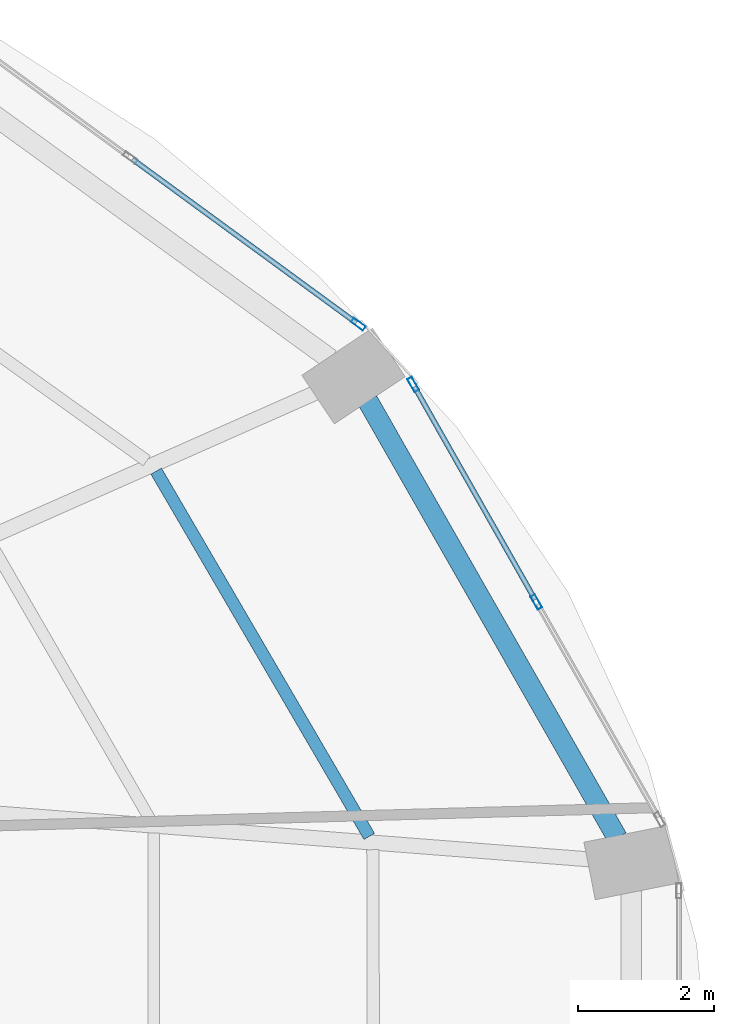
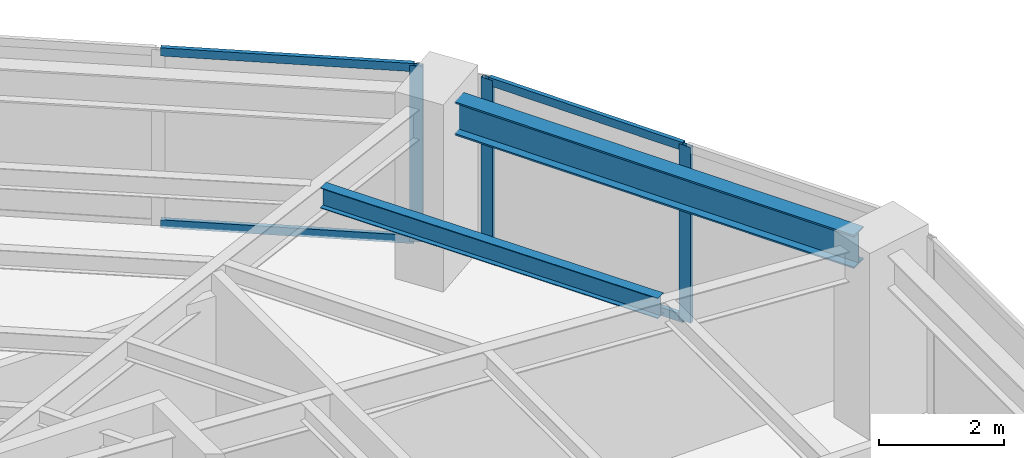
# One storey, part 18 of 25: 7 members, 2 beams, 2 elements without a shape of their own.
"""IFC4 building model written with IfcOpenShell, lengths in metres."""

from ifc_helpers import new_model, si_unit, direction, frame, origin, origin_2d, place, context, subcontext, project, spatial, hollow_rectangle, i_section, extrude, material, layer, layer_set, material_profile, profile_set, type_object, element, aggregate, save


model = new_model("IFC4")

# Units and contexts
model_context = context("Model", 3, precision=1e-05, world=origin(), true_north=direction((0.0, 1.0)))
body_context = subcontext(model_context, "Body", "Model", "MODEL_VIEW")
ifc_project = project(units=[si_unit("LENGTHUNIT", "METRE"), si_unit("AREAUNIT", "SQUARE_METRE"), si_unit("VOLUMEUNIT", "CUBIC_METRE"), si_unit("PLANEANGLEUNIT", "RADIAN"), si_unit("MASSUNIT", "GRAM", prefix="KILO")], contexts=[model_context])

# Site, building, storey
site_placement = place(None, origin())
site = spatial("IfcSite", under=ifc_project, at=site_placement, CompositionType="ELEMENT")
building_placement = place(site_placement, origin())
building = spatial("IfcBuilding", under=site, at=building_placement, Name="Lazwardi Medical Tower", CompositionType="ELEMENT")
storey_placement = place(building_placement, frame((0.0, 0.0, 32.49609375)))
storey = spatial("IfcBuildingStorey", under=building, at=storey_placement, Name="L07", CompositionType="ELEMENT", Elevation=32.49609375)

# Beams
ifc_material_1 = material(Name="Steel S355", Category="steel")
ifc_material_profile_1 = material_profile(ifc_material_1, i_section(OverallWidth=0.300048828125, OverallDepth=0.64990234375, WebThickness=0.01611328125, FlangeThickness=0.031005859375, at=origin_2d()), Name="HEB 650")
ifc_profile_set_1 = profile_set([ifc_material_profile_1], Name="Steel S355")
beam_type_1 = type_object("IfcBeamType", Name="BM-RB-Z1", PredefinedType="BEAM", material=ifc_profile_set_1)
beam_1_placement = place(storey_placement, frame((62.591796875, 34.63232421875, 3.10302734375), z_axis=(-0.49581512241, 0.868428099724, 0.0), x_axis=(-0.868428099724, -0.49581512241, 0.0)))
element("IfcBeam", 1, at=beam_1_placement, inside=storey, type_object=beam_type_1, Name="Ring beam RB-02 B05 L07", PredefinedType="BEAM", context=body_context, shape_type="SweptSolid", body=[
    extrude(i_section(OverallWidth=0.300048828125, OverallDepth=0.64990234375, WebThickness=0.01611328125, FlangeThickness=0.031005859375, at=origin_2d()), origin(), (0.0, 0.0, 1.0), 7.389404296875),
])
ifc_material_profile_2 = material_profile(ifc_material_1, i_section(OverallWidth=0.179931640625, OverallDepth=0.39990234375, WebThickness=0.008544921875, FlangeThickness=0.013427734375, at=origin_2d()), Name="IPE 400")
ifc_profile_set_2 = profile_set([ifc_material_profile_2], Name="Steel S355")
beam_type_2 = type_object("IfcBeamType", Name="BM-SJ-01", PredefinedType="JOIST", material=ifc_profile_set_2)
beam_2_placement = place(storey_placement, frame((58.951171875, 34.65234375, 3.22802734375), z_axis=(-0.503846579557, 0.863793160582, 0.0), x_axis=(-0.863793160582, -0.503846579557, 0.0)))
element("IfcBeam", 2, at=beam_2_placement, inside=storey, type_object=beam_type_2, Name="Secondary joist SJ-01 R1 B05 L07", PredefinedType="JOIST", context=body_context, shape_type="SweptSolid", body=[
    extrude(i_section(OverallWidth=0.179931640625, OverallDepth=0.39990234375, WebThickness=0.008544921875, FlangeThickness=0.013427734375, at=origin_2d()), origin(), (0.0, 0.0, 1.0), 6.20947265625),
])

# Curtain wall, members
ifc_material_2 = material(Name="Anodised bronze aluminium and solar control glazing", Category="aluminium")
ifc_layer = layer(ifc_material_2, 0.199951171875)
ifc_layer_set = layer_set([ifc_layer], Name="Anodised bronze aluminium and solar control glazing")
curtain_wall_type = type_object("IfcCurtainWallType", Name="CW-SYS-02", PredefinedType="NOTDEFINED", material=ifc_layer_set)
curtain_wall_1_placement = place(storey_placement, origin())
curtain_wall_1 = element("IfcCurtainWall", 3, at=curtain_wall_1_placement, inside=storey, type_object=curtain_wall_type, Name="L07 Unitised bronze curtain wall CW-02", PredefinedType="NOTDEFINED")
ifc_material_3 = material(Name="Anodised bronze aluminium", Category="aluminium")
ifc_material_profile_3 = material_profile(ifc_material_3, hollow_rectangle(XDim=0.074951171875, YDim=0.219970703125, WallThickness=0.00390625, at=origin_2d()), Name="ALU-MULLION 220x75x4")
ifc_profile_set_3 = profile_set([ifc_material_profile_3], Name="Anodised bronze aluminium")
member_type_1 = type_object("IfcMemberType", Name="CW-MUL-01", PredefinedType="MULLION", material=ifc_profile_set_3)
member_1_placement = place(storey_placement, frame((61.4052734375, 38.095458984375, 0.0), z_axis=(0.0, 0.0, 1.0), x_axis=(-0.870111838823, -0.492854327303, 0.0)))
member_1 = element("IfcMember", 4, at=member_1_placement, type_object=member_type_1, Name="CW-02 mullion 2", PredefinedType="MULLION", context=body_context, shape_type="SweptSolid", body=[
    extrude(hollow_rectangle(XDim=0.074951171875, YDim=0.219970703125, WallThickness=0.00390625, at=origin_2d()), origin(), (0.0, 0.0, 1.0), 3.427978515625),
])
member_2_placement = place(storey_placement, frame((59.5966796875, 41.28857421875, 0.0), z_axis=(0.0, 0.0, 1.0), x_axis=(-0.870111838823, -0.492854327303, 0.0)))
member_2 = element("IfcMember", 5, at=member_2_placement, type_object=member_type_1, Name="CW-02 mullion 3", PredefinedType="MULLION", context=body_context, shape_type="SweptSolid", body=[
    extrude(hollow_rectangle(XDim=0.074951171875, YDim=0.219970703125, WallThickness=0.00390625, at=origin_2d()), origin(), (0.0, 0.0, 1.0), 3.427978515625),
])

# Curtain wall, member
curtain_wall_2_placement = place(storey_placement, origin())
curtain_wall_2 = element("IfcCurtainWall", 6, at=curtain_wall_2_placement, inside=storey, type_object=curtain_wall_type, Name="L07 Unitised bronze curtain wall CW-02", PredefinedType="NOTDEFINED")
member_3_placement = place(storey_placement, frame((58.790283203125, 42.172607421875, 0.0), z_axis=(0.0, 0.0, 1.0), x_axis=(-0.590289307341, -0.807191757663, 0.0)))
member_3 = element("IfcMember", 7, at=member_3_placement, type_object=member_type_1, Name="CW-02 mullion 1", PredefinedType="MULLION", context=body_context, shape_type="SweptSolid", body=[
    extrude(hollow_rectangle(XDim=0.074951171875, YDim=0.219970703125, WallThickness=0.00390625, at=origin_2d()), origin(), (0.0, 0.0, 1.0), 3.427978515625),
])

# Member
ifc_material_profile_4 = material_profile(ifc_material_3, hollow_rectangle(XDim=0.074951171875, YDim=0.159912109375, WallThickness=0.00390625, at=origin_2d()), Name="ALU-TRANSOM 160x75x4")
ifc_profile_set_4 = profile_set([ifc_material_profile_4], Name="Anodised bronze aluminium")
member_type_2 = type_object("IfcMemberType", Name="CW-TRN-01", PredefinedType="USERDEFINED", material=ifc_profile_set_4)
member_4_placement = place(storey_placement, frame((61.386962890625, 38.128173828125, 0.037353515625), z_axis=(-0.492880614687, 0.870096948429, 0.0), x_axis=(-0.870096948429, -0.492880614687, 0.0)))
member_4 = element("IfcMember", 8, at=member_4_placement, type_object=member_type_2, Name="CW-02 transom 2.1", ObjectType="TRANSOM", PredefinedType="USERDEFINED", context=body_context, shape_type="SweptSolid", body=[
    extrude(hollow_rectangle(XDim=0.074951171875, YDim=0.159912109375, WallThickness=0.00390625, at=origin_2d()), origin(), (0.0, 0.0, 1.0), 3.5947265625),
])

member_5_placement = place(storey_placement, frame((61.386962890625, 38.128173828125, 3.390380859375), z_axis=(-0.492880614687, 0.870096948429, 0.0), x_axis=(-0.870096948429, -0.492880614687, 0.0)))
member_5 = element("IfcMember", 9, at=member_5_placement, type_object=member_type_2, Name="CW-02 transom 2.2", ObjectType="TRANSOM", PredefinedType="USERDEFINED", context=body_context, shape_type="SweptSolid", body=[
    extrude(hollow_rectangle(XDim=0.074951171875, YDim=0.159912109375, WallThickness=0.00390625, at=origin_2d()), origin(), (0.0, 0.0, 1.0), 3.5947265625),
])

aggregate(curtain_wall_1, [member_1, member_2, member_4, member_5])

member_6_placement = place(storey_placement, frame((58.760009765625, 42.194580078125, 0.037353515625), z_axis=(-0.807189956199, 0.590291770748, 0.0), x_axis=(-0.590291770748, -0.807189956199, 0.0)))
member_6 = element("IfcMember", 10, at=member_6_placement, type_object=member_type_2, Name="CW-02 transom 1.1", ObjectType="TRANSOM", PredefinedType="USERDEFINED", context=body_context, shape_type="SweptSolid", body=[
    extrude(hollow_rectangle(XDim=0.074951171875, YDim=0.159912109375, WallThickness=0.00390625, at=origin_2d()), origin(), (0.0, 0.0, 1.0), 4.070068359375),
])

member_7_placement = place(storey_placement, frame((58.760009765625, 42.194580078125, 3.390380859375), z_axis=(-0.807189956199, 0.590291770748, 0.0), x_axis=(-0.590291770748, -0.807189956199, 0.0)))
member_7 = element("IfcMember", 11, at=member_7_placement, type_object=member_type_2, Name="CW-02 transom 1.2", ObjectType="TRANSOM", PredefinedType="USERDEFINED", context=body_context, shape_type="SweptSolid", body=[
    extrude(hollow_rectangle(XDim=0.074951171875, YDim=0.159912109375, WallThickness=0.00390625, at=origin_2d()), origin(), (0.0, 0.0, 1.0), 4.070068359375),
])

aggregate(curtain_wall_2, [member_3, member_6, member_7])

save(model, "model.ifc")
